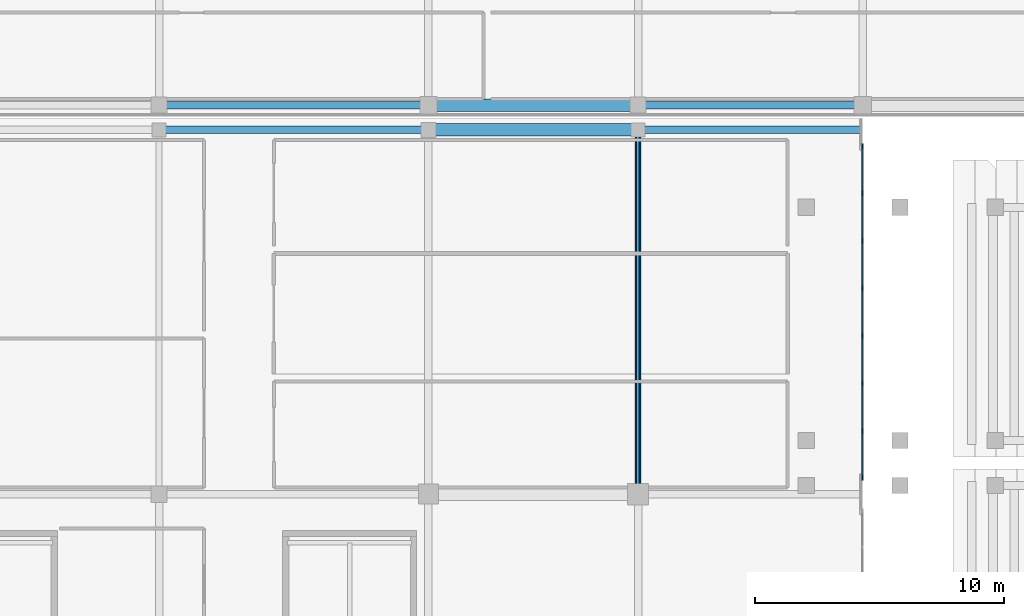
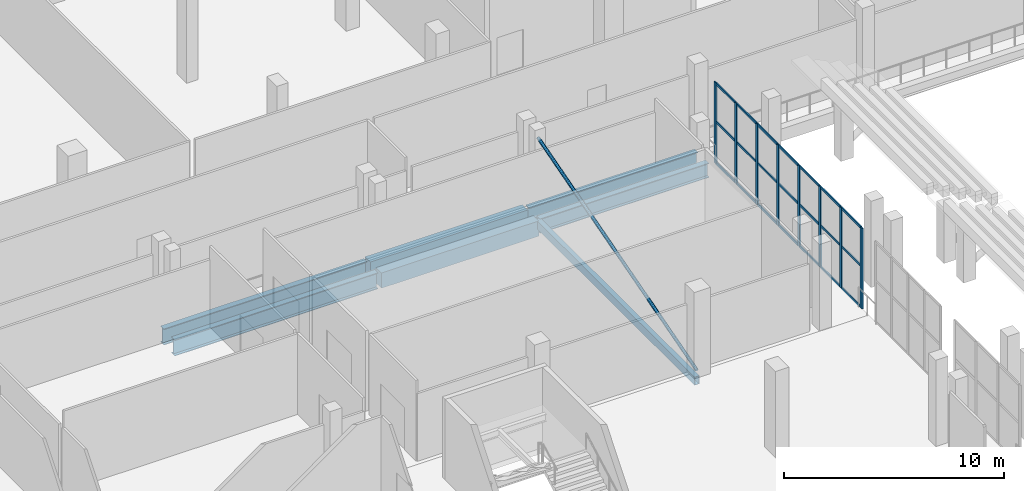
# One storey, part 37 of 142: 30 members, 7 beams, 1 element without a shape of its own.
"""IFC4 building model written with IfcOpenShell, lengths in metres."""

from ifc_helpers import new_model, si_unit, direction, frame, origin, origin_2d, place, context, subcontext, project, spatial, rectangle, hollow_rectangle, hollow_circle, i_section, extrude, material, material_profile, profile_set, type_object, element, aggregate, save


model = new_model("IFC4")

# Units and contexts
model_context = context("Model", 3, precision=1e-05, world=origin(), true_north=direction((0.0, 1.0)))
body_context = subcontext(model_context, "Body", "Model", "MODEL_VIEW")
ifc_project = project(units=[si_unit("LENGTHUNIT", "METRE"), si_unit("AREAUNIT", "SQUARE_METRE"), si_unit("VOLUMEUNIT", "CUBIC_METRE"), si_unit("PLANEANGLEUNIT", "RADIAN"), si_unit("MASSUNIT", "GRAM", prefix="KILO")], contexts=[model_context])

# Site, building, storey
site_placement = place(None, origin())
site = spatial("IfcSite", under=ifc_project, at=site_placement, CompositionType="ELEMENT")
building_placement = place(site_placement, origin())
building = spatial("IfcBuilding", under=site, at=building_placement, Name="Koshinbarg Plaza Stadium", CompositionType="ELEMENT")
storey_placement = place(building_placement, frame((0.0, 0.0, 10.199951171875)))
storey = spatial("IfcBuildingStorey", under=building, at=storey_placement, Name="L02", CompositionType="ELEMENT", Elevation=10.199951171875)

# Beams
ifc_material_1 = material(Name="Concrete C40/50", Category="concrete")
ifc_material_profile_1 = material_profile(ifc_material_1, rectangle(XDim=0.5, YDim=0.85009765625, at=origin_2d()), Name="RC 500x850")
ifc_profile_set_1 = profile_set([ifc_material_profile_1], Name="Concrete C40/50")
beam_type_1 = type_object("IfcBeamType", Name="BM-RCG-05", PredefinedType="USERDEFINED", material=ifc_profile_set_1)
for number, where, z_axis, x_axis, name in (
    (1, (46.260009765625, 126.5, -0.724853515625), (1.0, 0.0, 0.0), (0.0, 1.0, 0.0), "L02 X girder R/7-8"),
    (2, (46.260009765625, 127.5, -0.724853515625), (1.0, 0.0, 0.0), (0.0, 1.0, 0.0), "L02 X girder S/7-8"),
):
    element("IfcBeam", number, at=place(storey_placement, frame(where, z_axis=z_axis, x_axis=x_axis)), inside=storey, type_object=beam_type_1, Name=name, ObjectType="GIRDER", PredefinedType="USERDEFINED", context=body_context, shape_type="SweptSolid", body=[
        extrude(rectangle(XDim=0.5, YDim=0.85009765625, at=origin_2d()), origin(), (0.0, 0.0, 1.0), 8.280029296875),
    ])
ifc_material_2 = material(Name="Steel S355", Category="steel")
ifc_material_profile_2 = material_profile(ifc_material_2, i_section(OverallWidth=0.300048828125, OverallDepth=0.800048828125, WebThickness=0.017578125, FlangeThickness=0.032958984375, at=origin_2d()), Name="HEB 800")
ifc_profile_set_2 = profile_set([ifc_material_profile_2], Name="Steel S355")
beam_type_2 = type_object("IfcBeamType", Name="BM-SGIR-04", PredefinedType="USERDEFINED", material=ifc_profile_set_2)
for number, where, z_axis, x_axis, name in (
    (3, (54.659912109375, 126.5, -0.699951171875), (1.0, 0.0, 0.0), (0.0, 1.0, 0.0), "L02 X girder R/8-9"),
    (4, (54.659912109375, 127.5, -0.699951171875), (1.0, 0.0, 0.0), (0.0, 1.0, 0.0), "L02 X girder S/8-9"),
):
    element("IfcBeam", number, at=place(storey_placement, frame(where, z_axis=z_axis, x_axis=x_axis)), inside=storey, type_object=beam_type_2, Name=name, ObjectType="GIRDER", PredefinedType="USERDEFINED", context=body_context, shape_type="SweptSolid", body=[
        extrude(i_section(OverallWidth=0.300048828125, OverallDepth=0.800048828125, WebThickness=0.017578125, FlangeThickness=0.032958984375, at=origin_2d()), origin(), (0.0, 0.0, 1.0), 8.880126953125),
    ])
ifc_material_profile_3 = material_profile(ifc_material_2, i_section(OverallWidth=0.300048828125, OverallDepth=0.89990234375, WebThickness=0.0185546875, FlangeThickness=0.034912109375, at=origin_2d()), Name="HEB 900")
ifc_profile_set_3 = profile_set([ifc_material_profile_3], Name="Steel S355")
beam_type_3 = type_object("IfcBeamType", Name="BM-SGIR-05", PredefinedType="USERDEFINED", material=ifc_profile_set_3)
for number, where, z_axis, x_axis, name in (
    (5, (35.4599609375, 126.5, -0.75), (1.0, 0.0, 0.0), (0.0, 1.0, 0.0), "L02 X girder R/6-7"),
    (6, (35.4599609375, 127.5, -0.75), (1.0, 0.0, 0.0), (0.0, 1.0, 0.0), "L02 X girder S/6-7"),
):
    element("IfcBeam", number, at=place(storey_placement, frame(where, z_axis=z_axis, x_axis=x_axis)), inside=storey, type_object=beam_type_3, Name=name, ObjectType="GIRDER", PredefinedType="USERDEFINED", context=body_context, shape_type="SweptSolid", body=[
        extrude(i_section(OverallWidth=0.300048828125, OverallDepth=0.89990234375, WebThickness=0.0185546875, FlangeThickness=0.034912109375, at=origin_2d()), origin(), (0.0, 0.0, 1.0), 10.679931640625),
    ])
ifc_material_profile_4 = material_profile(ifc_material_2, hollow_rectangle(XDim=0.25, YDim=0.449951171875, WallThickness=0.01611328125, at=origin_2d()), Name="RHS 450x250x16")
ifc_profile_set_4 = profile_set([ifc_material_profile_4], Name="Steel S355")
beam_type_4 = type_object("IfcBeamType", Name="BM-SGIR-06", PredefinedType="USERDEFINED", material=ifc_profile_set_4)
beam_placement = place(storey_placement, frame((54.60009765625, 111.9599609375, -0.52490234375), z_axis=(0.0, 1.0, 0.0), x_axis=(-1.0, 0.0, 0.0)))
element("IfcBeam", 7, at=beam_placement, inside=storey, type_object=beam_type_4, Name="L02 Y girder 8/Q-R", ObjectType="GIRDER", PredefinedType="USERDEFINED", context=body_context, shape_type="SweptSolid", body=[
    extrude(hollow_rectangle(XDim=0.25, YDim=0.449951171875, WallThickness=0.01611328125, at=origin_2d()), origin(), (0.0, 0.0, 1.0), 14.47998046875),
])

# Curtain wall, members
ifc_material_3 = material(Name="Thermally broken anodised aluminium and low-E double glazing", Category="aluminium")
curtain_wall_type = type_object("IfcCurtainWallType", Name="CW-SYS-08", PredefinedType="NOTDEFINED", material=ifc_material_3)
curtain_wall_placement = place(storey_placement, origin())
curtain_wall = element("IfcCurtainWall", 8, at=curtain_wall_placement, inside=storey, type_object=curtain_wall_type, Name="L02 unitised curtain wall CW-L02-071", PredefinedType="NOTDEFINED")
ifc_material_4 = material(Name="Anodised aluminium mullion", Category="aluminium")
ifc_material_profile_5 = material_profile(ifc_material_4, rectangle(XDim=0.070068359375, YDim=0.199951171875, at=origin_2d()), Name="ALU 70x200")
ifc_profile_set_5 = profile_set([ifc_material_profile_5], Name="Anodised aluminium mullion")
member_type_1 = type_object("IfcMemberType", Name="CW-MUL-04", PredefinedType="MULLION", material=ifc_profile_set_5)
member_1_placement = place(storey_placement, frame((63.60009765625, 125.85009765625, 0.0), z_axis=(0.0, 0.0, 1.0), x_axis=(1.0, 0.0, 0.0)))
member_1 = element("IfcMember", 9, at=member_1_placement, type_object=member_type_1, Name="CW08 mullion 1", PredefinedType="MULLION", context=body_context, shape_type="SweptSolid", body=[
    extrude(rectangle(XDim=0.070068359375, YDim=0.199951171875, at=origin_2d()), origin(), (0.0, 0.0, 1.0), 4.47998046875),
])
member_2_placement = place(storey_placement, frame((63.60009765625, 123.971435546875, 0.0), z_axis=(0.0, 0.0, 1.0), x_axis=(1.0, 0.0, 0.0)))
member_2 = element("IfcMember", 10, at=member_2_placement, type_object=member_type_1, Name="CW08 mullion 2", PredefinedType="MULLION", context=body_context, shape_type="SweptSolid", body=[
    extrude(rectangle(XDim=0.070068359375, YDim=0.199951171875, at=origin_2d()), origin(), (0.0, 0.0, 1.0), 4.47998046875),
])
member_3_placement = place(storey_placement, frame((63.60009765625, 122.062744140625, 0.0), z_axis=(0.0, 0.0, 1.0), x_axis=(1.0, 0.0, 0.0)))
member_3 = element("IfcMember", 11, at=member_3_placement, type_object=member_type_1, Name="CW08 mullion 3", PredefinedType="MULLION", context=body_context, shape_type="SweptSolid", body=[
    extrude(rectangle(XDim=0.070068359375, YDim=0.199951171875, at=origin_2d()), origin(), (0.0, 0.0, 1.0), 4.47998046875),
])
member_4_placement = place(storey_placement, frame((63.60009765625, 120.154296875, 0.0), z_axis=(0.0, 0.0, 1.0), x_axis=(1.0, 0.0, 0.0)))
member_4 = element("IfcMember", 12, at=member_4_placement, type_object=member_type_1, Name="CW08 mullion 4", PredefinedType="MULLION", context=body_context, shape_type="SweptSolid", body=[
    extrude(rectangle(XDim=0.070068359375, YDim=0.199951171875, at=origin_2d()), origin(), (0.0, 0.0, 1.0), 4.47998046875),
])
member_5_placement = place(storey_placement, frame((63.60009765625, 118.24560546875, 0.0), z_axis=(0.0, 0.0, 1.0), x_axis=(1.0, 0.0, 0.0)))
member_5 = element("IfcMember", 13, at=member_5_placement, type_object=member_type_1, Name="CW08 mullion 5", PredefinedType="MULLION", context=body_context, shape_type="SweptSolid", body=[
    extrude(rectangle(XDim=0.070068359375, YDim=0.199951171875, at=origin_2d()), origin(), (0.0, 0.0, 1.0), 4.47998046875),
])
member_6_placement = place(storey_placement, frame((63.60009765625, 116.337158203125, 0.0), z_axis=(0.0, 0.0, 1.0), x_axis=(1.0, 0.0, 0.0)))
member_6 = element("IfcMember", 14, at=member_6_placement, type_object=member_type_1, Name="CW08 mullion 6", PredefinedType="MULLION", context=body_context, shape_type="SweptSolid", body=[
    extrude(rectangle(XDim=0.070068359375, YDim=0.199951171875, at=origin_2d()), origin(), (0.0, 0.0, 1.0), 4.47998046875),
])
member_7_placement = place(storey_placement, frame((63.60009765625, 114.428466796875, 0.0), z_axis=(0.0, 0.0, 1.0), x_axis=(1.0, 0.0, 0.0)))
member_7 = element("IfcMember", 15, at=member_7_placement, type_object=member_type_1, Name="CW08 mullion 7", PredefinedType="MULLION", context=body_context, shape_type="SweptSolid", body=[
    extrude(rectangle(XDim=0.070068359375, YDim=0.199951171875, at=origin_2d()), origin(), (0.0, 0.0, 1.0), 4.47998046875),
])
member_8_placement = place(storey_placement, frame((63.60009765625, 112.550048828125, 0.0), z_axis=(0.0, 0.0, 1.0), x_axis=(1.0, 0.0, 0.0)))
member_8 = element("IfcMember", 16, at=member_8_placement, type_object=member_type_1, Name="CW08 mullion 8", PredefinedType="MULLION", context=body_context, shape_type="SweptSolid", body=[
    extrude(rectangle(XDim=0.070068359375, YDim=0.199951171875, at=origin_2d()), origin(), (0.0, 0.0, 1.0), 4.47998046875),
])
ifc_material_5 = material(Name="Anodised aluminium transom", Category="aluminium")
ifc_material_profile_6 = material_profile(ifc_material_5, rectangle(XDim=0.06005859375, YDim=0.1298828125, at=origin_2d()), Name="ALU 60x130")
ifc_profile_set_6 = profile_set([ifc_material_profile_6], Name="Anodised aluminium transom")
member_type_2 = type_object("IfcMemberType", Name="CW-TRN-02", PredefinedType="USERDEFINED", material=ifc_profile_set_6)
member_9_placement = place(storey_placement, frame((63.60009765625, 125.820068359375, 0.030029296875), z_axis=(0.0, -1.0, 0.0), x_axis=(1.0, 0.0, 0.0)))
member_9 = element("IfcMember", 17, at=member_9_placement, type_object=member_type_2, Name="CW08 transom 1.1", ObjectType="TRANSOM", PredefinedType="USERDEFINED", context=body_context, shape_type="SweptSolid", body=[
    extrude(rectangle(XDim=0.06005859375, YDim=0.1298828125, at=origin_2d()), origin(), (0.0, 0.0, 1.0), 1.818603515625),
])
member_10_placement = place(storey_placement, frame((63.60009765625, 125.820068359375, 2.32958984375), z_axis=(0.0, -1.0, 0.0), x_axis=(1.0, 0.0, 0.0)))
member_10 = element("IfcMember", 18, at=member_10_placement, type_object=member_type_2, Name="CW08 transom 1.2", ObjectType="TRANSOM", PredefinedType="USERDEFINED", context=body_context, shape_type="SweptSolid", body=[
    extrude(rectangle(XDim=0.06005859375, YDim=0.1298828125, at=origin_2d()), origin(), (0.0, 0.0, 1.0), 1.818603515625),
])
member_11_placement = place(storey_placement, frame((63.60009765625, 125.820068359375, 4.449951171875), z_axis=(0.0, -1.0, 0.0), x_axis=(1.0, 0.0, 0.0)))
member_11 = element("IfcMember", 19, at=member_11_placement, type_object=member_type_2, Name="CW08 transom 1.3", ObjectType="TRANSOM", PredefinedType="USERDEFINED", context=body_context, shape_type="SweptSolid", body=[
    extrude(rectangle(XDim=0.06005859375, YDim=0.1298828125, at=origin_2d()), origin(), (0.0, 0.0, 1.0), 1.818603515625),
])
member_12_placement = place(storey_placement, frame((63.60009765625, 123.94140625, 0.030029296875), z_axis=(0.0, -1.0, 0.0), x_axis=(1.0, 0.0, 0.0)))
member_12 = element("IfcMember", 20, at=member_12_placement, type_object=member_type_2, Name="CW08 transom 2.1", ObjectType="TRANSOM", PredefinedType="USERDEFINED", context=body_context, shape_type="SweptSolid", body=[
    extrude(rectangle(XDim=0.06005859375, YDim=0.1298828125, at=origin_2d()), origin(), (0.0, 0.0, 1.0), 1.8486328125),
])
member_13_placement = place(storey_placement, frame((63.60009765625, 123.94140625, 2.32958984375), z_axis=(0.0, -1.0, 0.0), x_axis=(1.0, 0.0, 0.0)))
member_13 = element("IfcMember", 21, at=member_13_placement, type_object=member_type_2, Name="CW08 transom 2.2", ObjectType="TRANSOM", PredefinedType="USERDEFINED", context=body_context, shape_type="SweptSolid", body=[
    extrude(rectangle(XDim=0.06005859375, YDim=0.1298828125, at=origin_2d()), origin(), (0.0, 0.0, 1.0), 1.8486328125),
])
member_14_placement = place(storey_placement, frame((63.60009765625, 123.94140625, 4.449951171875), z_axis=(0.0, -1.0, 0.0), x_axis=(1.0, 0.0, 0.0)))
member_14 = element("IfcMember", 22, at=member_14_placement, type_object=member_type_2, Name="CW08 transom 2.3", ObjectType="TRANSOM", PredefinedType="USERDEFINED", context=body_context, shape_type="SweptSolid", body=[
    extrude(rectangle(XDim=0.06005859375, YDim=0.1298828125, at=origin_2d()), origin(), (0.0, 0.0, 1.0), 1.8486328125),
])
member_15_placement = place(storey_placement, frame((63.60009765625, 122.032958984375, 0.030029296875), z_axis=(0.0, -1.0, 0.0), x_axis=(1.0, 0.0, 0.0)))
member_15 = element("IfcMember", 23, at=member_15_placement, type_object=member_type_2, Name="CW08 transom 3.1", ObjectType="TRANSOM", PredefinedType="USERDEFINED", context=body_context, shape_type="SweptSolid", body=[
    extrude(rectangle(XDim=0.06005859375, YDim=0.1298828125, at=origin_2d()), origin(), (0.0, 0.0, 1.0), 1.8486328125),
])
member_16_placement = place(storey_placement, frame((63.60009765625, 122.032958984375, 2.32958984375), z_axis=(0.0, -1.0, 0.0), x_axis=(1.0, 0.0, 0.0)))
member_16 = element("IfcMember", 24, at=member_16_placement, type_object=member_type_2, Name="CW08 transom 3.2", ObjectType="TRANSOM", PredefinedType="USERDEFINED", context=body_context, shape_type="SweptSolid", body=[
    extrude(rectangle(XDim=0.06005859375, YDim=0.1298828125, at=origin_2d()), origin(), (0.0, 0.0, 1.0), 1.8486328125),
])
member_17_placement = place(storey_placement, frame((63.60009765625, 122.032958984375, 4.449951171875), z_axis=(0.0, -1.0, 0.0), x_axis=(1.0, 0.0, 0.0)))
member_17 = element("IfcMember", 25, at=member_17_placement, type_object=member_type_2, Name="CW08 transom 3.3", ObjectType="TRANSOM", PredefinedType="USERDEFINED", context=body_context, shape_type="SweptSolid", body=[
    extrude(rectangle(XDim=0.06005859375, YDim=0.1298828125, at=origin_2d()), origin(), (0.0, 0.0, 1.0), 1.8486328125),
])
member_18_placement = place(storey_placement, frame((63.60009765625, 120.124267578125, 0.030029296875), z_axis=(0.0, -1.0, 0.0), x_axis=(1.0, 0.0, 0.0)))
member_18 = element("IfcMember", 26, at=member_18_placement, type_object=member_type_2, Name="CW08 transom 4.1", ObjectType="TRANSOM", PredefinedType="USERDEFINED", context=body_context, shape_type="SweptSolid", body=[
    extrude(rectangle(XDim=0.06005859375, YDim=0.1298828125, at=origin_2d()), origin(), (0.0, 0.0, 1.0), 1.8486328125),
])
member_19_placement = place(storey_placement, frame((63.60009765625, 120.124267578125, 2.32958984375), z_axis=(0.0, -1.0, 0.0), x_axis=(1.0, 0.0, 0.0)))
member_19 = element("IfcMember", 27, at=member_19_placement, type_object=member_type_2, Name="CW08 transom 4.2", ObjectType="TRANSOM", PredefinedType="USERDEFINED", context=body_context, shape_type="SweptSolid", body=[
    extrude(rectangle(XDim=0.06005859375, YDim=0.1298828125, at=origin_2d()), origin(), (0.0, 0.0, 1.0), 1.8486328125),
])
member_20_placement = place(storey_placement, frame((63.60009765625, 120.124267578125, 4.449951171875), z_axis=(0.0, -1.0, 0.0), x_axis=(1.0, 0.0, 0.0)))
member_20 = element("IfcMember", 28, at=member_20_placement, type_object=member_type_2, Name="CW08 transom 4.3", ObjectType="TRANSOM", PredefinedType="USERDEFINED", context=body_context, shape_type="SweptSolid", body=[
    extrude(rectangle(XDim=0.06005859375, YDim=0.1298828125, at=origin_2d()), origin(), (0.0, 0.0, 1.0), 1.8486328125),
])
member_21_placement = place(storey_placement, frame((63.60009765625, 118.2158203125, 0.030029296875), z_axis=(0.0, -1.0, 0.0), x_axis=(1.0, 0.0, 0.0)))
member_21 = element("IfcMember", 29, at=member_21_placement, type_object=member_type_2, Name="CW08 transom 5.1", ObjectType="TRANSOM", PredefinedType="USERDEFINED", context=body_context, shape_type="SweptSolid", body=[
    extrude(rectangle(XDim=0.06005859375, YDim=0.1298828125, at=origin_2d()), origin(), (0.0, 0.0, 1.0), 1.8486328125),
])
member_22_placement = place(storey_placement, frame((63.60009765625, 118.2158203125, 2.32958984375), z_axis=(0.0, -1.0, 0.0), x_axis=(1.0, 0.0, 0.0)))
member_22 = element("IfcMember", 30, at=member_22_placement, type_object=member_type_2, Name="CW08 transom 5.2", ObjectType="TRANSOM", PredefinedType="USERDEFINED", context=body_context, shape_type="SweptSolid", body=[
    extrude(rectangle(XDim=0.06005859375, YDim=0.1298828125, at=origin_2d()), origin(), (0.0, 0.0, 1.0), 1.8486328125),
])
member_23_placement = place(storey_placement, frame((63.60009765625, 118.2158203125, 4.449951171875), z_axis=(0.0, -1.0, 0.0), x_axis=(1.0, 0.0, 0.0)))
member_23 = element("IfcMember", 31, at=member_23_placement, type_object=member_type_2, Name="CW08 transom 5.3", ObjectType="TRANSOM", PredefinedType="USERDEFINED", context=body_context, shape_type="SweptSolid", body=[
    extrude(rectangle(XDim=0.06005859375, YDim=0.1298828125, at=origin_2d()), origin(), (0.0, 0.0, 1.0), 1.8486328125),
])
member_24_placement = place(storey_placement, frame((63.60009765625, 116.30712890625, 0.030029296875), z_axis=(0.0, -1.0, 0.0), x_axis=(1.0, 0.0, 0.0)))
member_24 = element("IfcMember", 32, at=member_24_placement, type_object=member_type_2, Name="CW08 transom 6.1", ObjectType="TRANSOM", PredefinedType="USERDEFINED", context=body_context, shape_type="SweptSolid", body=[
    extrude(rectangle(XDim=0.06005859375, YDim=0.1298828125, at=origin_2d()), origin(), (0.0, 0.0, 1.0), 1.8486328125),
])
member_25_placement = place(storey_placement, frame((63.60009765625, 116.30712890625, 2.32958984375), z_axis=(0.0, -1.0, 0.0), x_axis=(1.0, 0.0, 0.0)))
member_25 = element("IfcMember", 33, at=member_25_placement, type_object=member_type_2, Name="CW08 transom 6.2", ObjectType="TRANSOM", PredefinedType="USERDEFINED", context=body_context, shape_type="SweptSolid", body=[
    extrude(rectangle(XDim=0.06005859375, YDim=0.1298828125, at=origin_2d()), origin(), (0.0, 0.0, 1.0), 1.8486328125),
])
member_26_placement = place(storey_placement, frame((63.60009765625, 116.30712890625, 4.449951171875), z_axis=(0.0, -1.0, 0.0), x_axis=(1.0, 0.0, 0.0)))
member_26 = element("IfcMember", 34, at=member_26_placement, type_object=member_type_2, Name="CW08 transom 6.3", ObjectType="TRANSOM", PredefinedType="USERDEFINED", context=body_context, shape_type="SweptSolid", body=[
    extrude(rectangle(XDim=0.06005859375, YDim=0.1298828125, at=origin_2d()), origin(), (0.0, 0.0, 1.0), 1.8486328125),
])
member_27_placement = place(storey_placement, frame((63.60009765625, 114.398681640625, 0.030029296875), z_axis=(0.0, -1.0, 0.0), x_axis=(1.0, 0.0, 0.0)))
member_27 = element("IfcMember", 35, at=member_27_placement, type_object=member_type_2, Name="CW08 transom 7.1", ObjectType="TRANSOM", PredefinedType="USERDEFINED", context=body_context, shape_type="SweptSolid", body=[
    extrude(rectangle(XDim=0.06005859375, YDim=0.1298828125, at=origin_2d()), origin(), (0.0, 0.0, 1.0), 1.818603515625),
])
member_28_placement = place(storey_placement, frame((63.60009765625, 114.398681640625, 2.32958984375), z_axis=(0.0, -1.0, 0.0), x_axis=(1.0, 0.0, 0.0)))
member_28 = element("IfcMember", 36, at=member_28_placement, type_object=member_type_2, Name="CW08 transom 7.2", ObjectType="TRANSOM", PredefinedType="USERDEFINED", context=body_context, shape_type="SweptSolid", body=[
    extrude(rectangle(XDim=0.06005859375, YDim=0.1298828125, at=origin_2d()), origin(), (0.0, 0.0, 1.0), 1.818603515625),
])
member_29_placement = place(storey_placement, frame((63.60009765625, 114.398681640625, 4.449951171875), z_axis=(0.0, -1.0, 0.0), x_axis=(1.0, 0.0, 0.0)))
member_29 = element("IfcMember", 37, at=member_29_placement, type_object=member_type_2, Name="CW08 transom 7.3", ObjectType="TRANSOM", PredefinedType="USERDEFINED", context=body_context, shape_type="SweptSolid", body=[
    extrude(rectangle(XDim=0.06005859375, YDim=0.1298828125, at=origin_2d()), origin(), (0.0, 0.0, 1.0), 1.818603515625),
])
aggregate(curtain_wall, [member_1, member_2, member_3, member_4, member_5, member_6, member_7, member_8, member_9, member_10, member_11, member_12, member_13, member_14, member_15, member_16, member_17, member_18, member_19, member_20, member_21, member_22, member_23, member_24, member_25, member_26, member_27, member_28, member_29])

# Member
ifc_material_profile_7 = material_profile(ifc_material_2, hollow_circle(Radius=0.084228515625, WallThickness=0.008056640625, at=origin_2d()), Name="CHS 168.3x8")
ifc_profile_set_7 = profile_set([ifc_material_profile_7], Name="Steel S355")
member_type_3 = type_object("IfcMemberType", Name="MB-BRACE-04", PredefinedType="BRACE", material=ifc_profile_set_7)
member_30_placement = place(storey_placement, frame((54.60009765625, 111.97998046875, 0.050048828125), z_axis=(0.0, 0.961097239183, 0.27621024028), x_axis=(-1.0, 0.0, 0.0)))
element("IfcMember", 38, at=member_30_placement, inside=storey, type_object=member_type_3, Name="L02 lateral frame brace 10", PredefinedType="BRACE", context=body_context, shape_type="SweptSolid", body=[
    extrude(hollow_circle(Radius=0.084228515625, WallThickness=0.008056640625, at=origin_2d()), origin(), (0.0, 0.0, 1.0), 15.0244140625),
])

save(model, "model.ifc")
